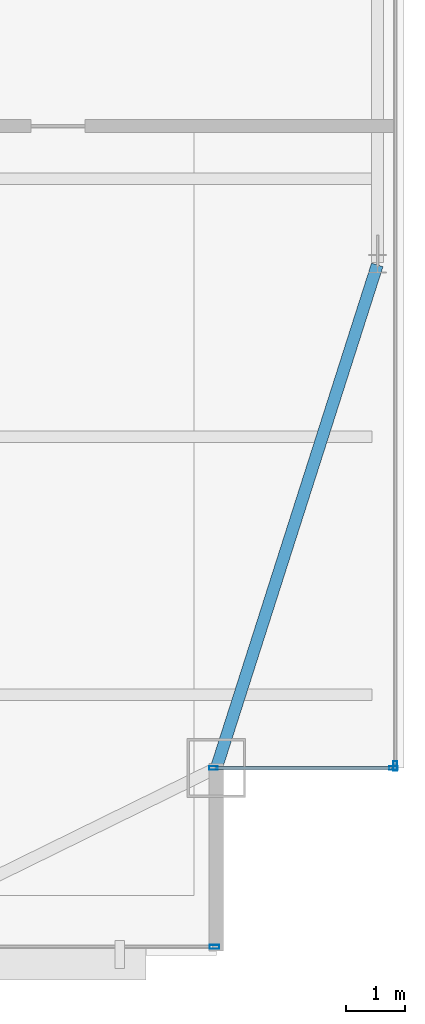
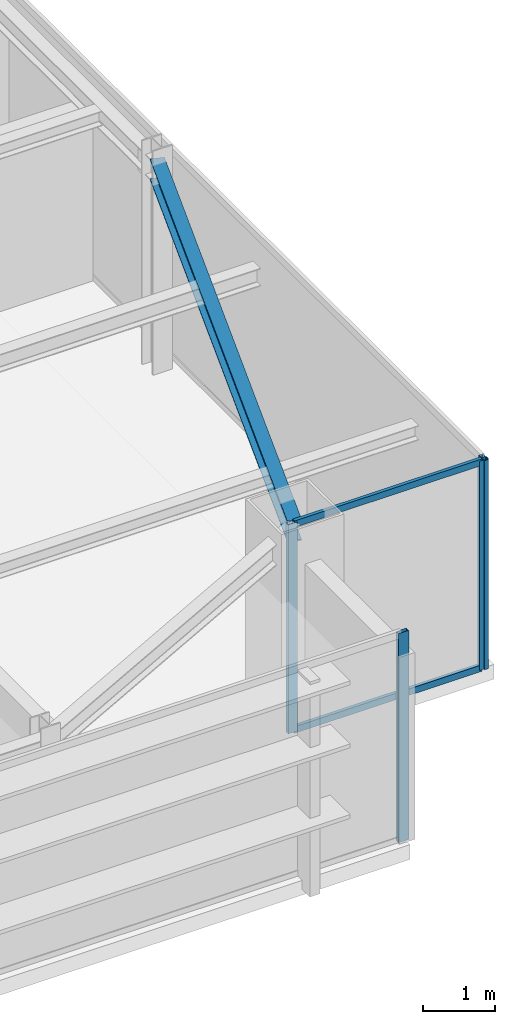
# One storey, part 14 of 24: 6 members, 1 beam, 3 elements without a shape of their own.
"""IFC4 building model written with IfcOpenShell, lengths in metres."""

from ifc_helpers import new_model, si_unit, direction, frame, origin, origin_2d, place, context, subcontext, project, spatial, hollow_rectangle, i_section, extrude, source, transform, mapped, material, layer, layer_set, material_profile, profile_set, type_object, type_shapes, element, aggregate, save


model = new_model("IFC4")

# Units and contexts
model_context = context("Model", 3, precision=1e-05, world=origin(), true_north=direction((0.0, 1.0)))
body_context = subcontext(model_context, "Body", "Model", "MODEL_VIEW")
ifc_project = project(units=[si_unit("LENGTHUNIT", "METRE"), si_unit("AREAUNIT", "SQUARE_METRE"), si_unit("VOLUMEUNIT", "CUBIC_METRE"), si_unit("PLANEANGLEUNIT", "RADIAN"), si_unit("MASSUNIT", "GRAM", prefix="KILO")], contexts=[model_context])

# Site, building, storey
site_placement = place(None, origin())
site = spatial("IfcSite", under=ifc_project, at=site_placement, CompositionType="ELEMENT")
building_placement = place(site_placement, origin())
building = spatial("IfcBuilding", under=site, at=building_placement, Name="Varnel Quay Broadcast Tower", CompositionType="ELEMENT")
storey_placement = place(building_placement, frame((0.0, 0.0, 285.0)))
storey = spatial("IfcBuildingStorey", under=building, at=storey_placement, Name="L71", CompositionType="ELEMENT", Elevation=285.0)

# Beam
ifc_material_1 = material(Name="Structural Steel CSA G40.21 350W", Category="steel")
ifc_material_profile_1 = material_profile(ifc_material_1, i_section(OverallWidth=0.205078125, OverallDepth=0.35400390625, WebThickness=0.009521484375, FlangeThickness=0.016845703125, FilletRadius=0.012939453125, at=origin_2d()), Name="W360X79")
ifc_profile_set_1 = profile_set([ifc_material_profile_1], Name="Structural Steel CSA G40.21 350W")
beam_type = type_object("IfcBeamType", Name="Beam_W360X79", PredefinedType="SPANDREL", material=ifc_profile_set_1)
shared_shape_1 = source(origin(), body_context, "Body", "SweptSolid", [
    extrude(i_section(OverallWidth=0.205078125, OverallDepth=0.35400390625, WebThickness=0.009521484375, FlangeThickness=0.016845703125, FilletRadius=0.012939453125, at=origin_2d()), origin(), (0.0, 0.0, 1.0), 8.989013671875),
])
type_shapes(beam_type, [shared_shape_1])
beam_placement = place(storey_placement, frame((52.80615234375, 16.4189453125, 3.373046875), z_axis=(0.304568770162, 0.952490348635, 0.0), x_axis=(-0.952490348635, 0.304568770162, 0.0)))
element("IfcBeam", 1, at=beam_placement, inside=storey, type_object=beam_type, Name="L71 East Spandrel MC-SE-TC-E1", PredefinedType="SPANDREL", context=body_context, shape_type="MappedRepresentation", body=[
    mapped(shared_shape_1, transform((0.0, 0.0, 0.0), x_axis=(1.0, 0.0, 0.0), y_axis=(0.0, 1.0, 0.0), z_axis=(0.0, 0.0, 1.0), scale=1.0)),
])

# Curtain wall, members
ifc_material_2 = material(Name="Anodised Bronze Aluminium 6063-T6", Category="aluminium")
ifc_layer_1 = layer(ifc_material_2, 0.18994140625, Name="Anodised Bronze Aluminium 6063-T6")
ifc_layer_set_1 = layer_set([ifc_layer_1], Name="Anodised Bronze Aluminium 6063-T6")
curtain_wall_type_1 = type_object("IfcCurtainWallType", Name="CW_NotchCorner", PredefinedType="NOTDEFINED", material=ifc_layer_set_1)
curtain_wall_1_placement = place(storey_placement, origin())
curtain_wall_1 = element("IfcCurtainWall", 2, at=curtain_wall_1_placement, inside=storey, type_object=curtain_wall_type_1, Name="L71 SE Notch Curtain Wall", PredefinedType="NOTDEFINED")
ifc_material_profile_2 = material_profile(ifc_material_2, hollow_rectangle(XDim=0.06005859375, YDim=0.14501953125, WallThickness=0.00341796875, at=origin_2d()), Name="ALU60X145X3.5")
ifc_profile_set_2 = profile_set([ifc_material_profile_2], Name="Anodised Bronze Aluminium 6063-T6")
member_type_1 = type_object("IfcMemberType", Name="Mull_CWS-04", PredefinedType="MULLION", material=ifc_profile_set_2)
shared_shape_2 = source(origin(), body_context, "Body", "SweptSolid", [
    extrude(hollow_rectangle(XDim=0.06005859375, YDim=0.14501953125, WallThickness=0.00341796875, at=origin_2d()), origin(), (0.0, 0.0, 1.0), 3.550048828125),
])
type_shapes(member_type_1, [shared_shape_2])
member_1_placement = place(storey_placement, frame((52.75, 16.39990234375, 0.0), z_axis=(0.0, 0.0, 1.0), x_axis=(0.0, 1.0, 0.0)))
member_1 = element("IfcMember", 3, at=member_1_placement, type_object=member_type_1, Name="CWS-04 mullion 1", PredefinedType="MULLION", context=body_context, shape_type="MappedRepresentation", body=[
    mapped(shared_shape_2, transform((0.0, 0.0, 0.0), x_axis=(1.0, 0.0, 0.0), y_axis=(0.0, 1.0, 0.0), z_axis=(0.0, 0.0, 1.0), scale=1.0)),
])
member_2_placement = place(storey_placement, frame((55.820068359375, 16.39990234375, 0.0), z_axis=(0.0, 0.0, 1.0), x_axis=(0.0, 1.0, 0.0)))
member_2 = element("IfcMember", 4, at=member_2_placement, type_object=member_type_1, Name="CWS-04 mullion 2", PredefinedType="MULLION", context=body_context, shape_type="MappedRepresentation", body=[
    mapped(shared_shape_2, transform((0.0, 0.0, 0.0), x_axis=(1.0, 0.0, 0.0), y_axis=(0.0, 1.0, 0.0), z_axis=(0.0, 0.0, 1.0), scale=1.0)),
])

# Curtain wall, member
ifc_layer_2 = layer(ifc_material_2, 0.18994140625, Name="Anodised Bronze Aluminium 6063-T6")
ifc_layer_set_2 = layer_set([ifc_layer_2], Name="Anodised Bronze Aluminium 6063-T6")
curtain_wall_type_2 = type_object("IfcCurtainWallType", Name="CW_UpperTower", PredefinedType="NOTDEFINED", material=ifc_layer_set_2)
curtain_wall_2_placement = place(storey_placement, origin())
curtain_wall_2 = element("IfcCurtainWall", 5, at=curtain_wall_2_placement, inside=storey, type_object=curtain_wall_type_2, Name="L71 South Unitised Curtain Wall 1", PredefinedType="NOTDEFINED")
ifc_material_profile_3 = material_profile(ifc_material_2, hollow_rectangle(XDim=0.06494140625, YDim=0.1650390625, WallThickness=0.00341796875, at=origin_2d()), Name="ALU65X165X3.5")
ifc_profile_set_3 = profile_set([ifc_material_profile_3], Name="Anodised Bronze Aluminium 6063-T6")
member_type_2 = type_object("IfcMemberType", Name="Mull_CWS-03", PredefinedType="MULLION", material=ifc_profile_set_3)
shared_shape_3 = source(origin(), body_context, "Body", "SweptSolid", [
    extrude(hollow_rectangle(XDim=0.06494140625, YDim=0.1650390625, WallThickness=0.00341796875, at=origin_2d()), origin(), (0.0, 0.0, 1.0), 3.550048828125),
])
type_shapes(member_type_2, [shared_shape_3])
member_3_placement = place(storey_placement, frame((52.767578125, 13.35009765625, 0.0), z_axis=(0.0, 0.0, 1.0), x_axis=(0.0, 1.0, 0.0)))
member_3 = element("IfcMember", 6, at=member_3_placement, type_object=member_type_2, Name="CWS-03 mullion 4", PredefinedType="MULLION", context=body_context, shape_type="MappedRepresentation", body=[
    mapped(shared_shape_3, transform((0.0, 0.0, 0.0), x_axis=(1.0, 0.0, 0.0), y_axis=(0.0, 1.0, 0.0), z_axis=(0.0, 0.0, 1.0), scale=1.0)),
])
aggregate(curtain_wall_2, [member_3])

curtain_wall_3_placement = place(storey_placement, origin())
curtain_wall_3 = element("IfcCurtainWall", 7, at=curtain_wall_3_placement, inside=storey, type_object=curtain_wall_type_2, Name="L71 East Unitised Curtain Wall", PredefinedType="NOTDEFINED")
member_4_placement = place(storey_placement, frame((55.85009765625, 16.4326171875, 0.0), z_axis=(0.0, 0.0, 1.0), x_axis=(-1.0, 0.0, 0.0)))
member_4 = element("IfcMember", 8, at=member_4_placement, type_object=member_type_2, Name="CWS-03 mullion 1", PredefinedType="MULLION", context=body_context, shape_type="MappedRepresentation", body=[
    mapped(shared_shape_3, transform((0.0, 0.0, 0.0), x_axis=(1.0, 0.0, 0.0), y_axis=(0.0, 1.0, 0.0), z_axis=(0.0, 0.0, 1.0), scale=1.0)),
])
aggregate(curtain_wall_3, [member_4])

# Member
ifc_material_profile_4 = material_profile(ifc_material_2, hollow_rectangle(XDim=0.054931640625, YDim=0.110107421875, WallThickness=0.0029296875, at=origin_2d()), Name="ALU55X110X3")
ifc_profile_set_4 = profile_set([ifc_material_profile_4], Name="Anodised Bronze Aluminium 6063-T6")
member_type_3 = type_object("IfcMemberType", Name="Tran_CWS-04", PredefinedType="USERDEFINED", material=ifc_profile_set_4)
shared_shape_4 = source(origin(), body_context, "Body", "SweptSolid", [
    extrude(hollow_rectangle(XDim=0.054931640625, YDim=0.110107421875, WallThickness=0.0029296875, at=origin_2d()), origin(), (0.0, 0.0, 1.0), 3.010009765625),
])
type_shapes(member_type_3, [shared_shape_4])
member_5_placement = place(storey_placement, frame((52.780029296875, 16.39990234375, 0.027587890625), z_axis=(1.0, 0.0, 0.0), x_axis=(0.0, 1.0, 0.0)))
member_5 = element("IfcMember", 9, at=member_5_placement, type_object=member_type_3, Name="CWS-04 transom 1.1", ObjectType="TRANSOM", PredefinedType="USERDEFINED", context=body_context, shape_type="MappedRepresentation", body=[
    mapped(shared_shape_4, transform((0.0, 0.0, 0.0), x_axis=(1.0, 0.0, 0.0), y_axis=(0.0, 1.0, 0.0), z_axis=(0.0, 0.0, 1.0), scale=1.0)),
])

member_6_placement = place(storey_placement, frame((52.780029296875, 16.39990234375, 3.5224609375), z_axis=(1.0, 0.0, 0.0), x_axis=(0.0, 1.0, 0.0)))
member_6 = element("IfcMember", 10, at=member_6_placement, type_object=member_type_3, Name="CWS-04 transom 1.2", ObjectType="TRANSOM", PredefinedType="USERDEFINED", context=body_context, shape_type="MappedRepresentation", body=[
    mapped(shared_shape_4, transform((0.0, 0.0, 0.0), x_axis=(1.0, 0.0, 0.0), y_axis=(0.0, 1.0, 0.0), z_axis=(0.0, 0.0, 1.0), scale=1.0)),
])

aggregate(curtain_wall_1, [member_1, member_2, member_5, member_6])

save(model, "model.ifc")
